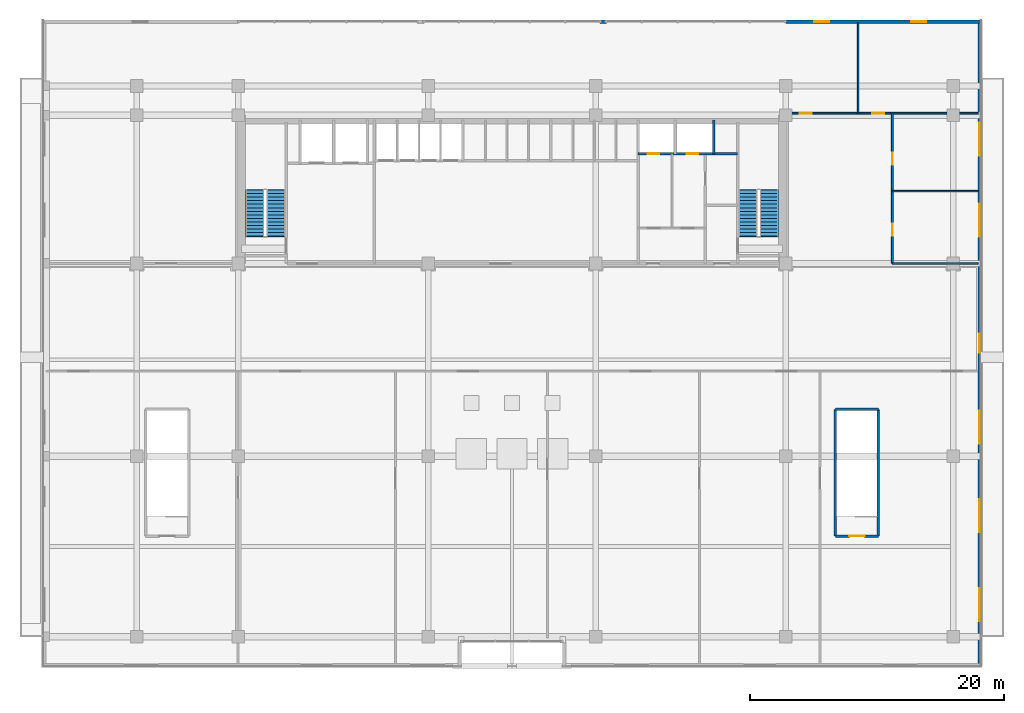
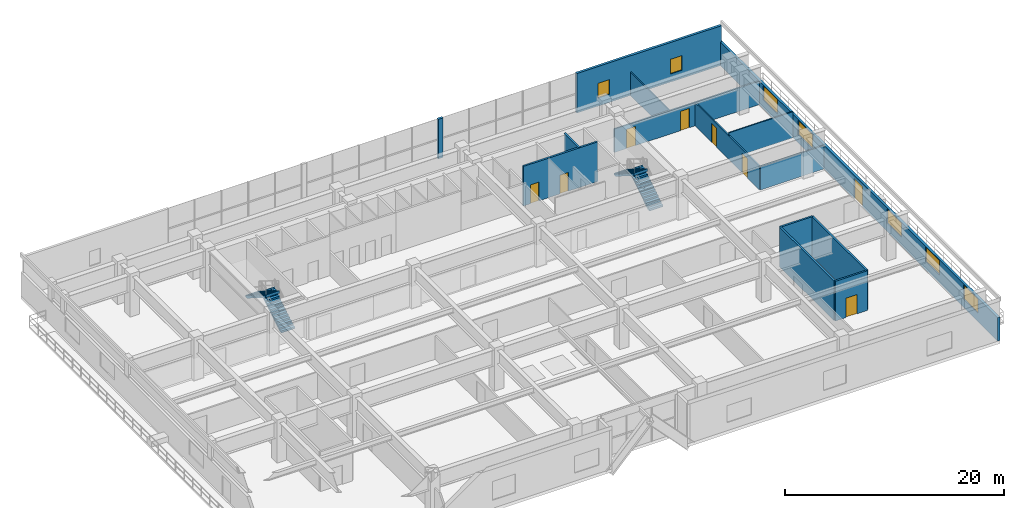
# One storey, part 13 of 17: 14 walls, 8 doors, 7 windows, 4 stair flights, 15 openings, 2 elements without a shape of their own.
"""IFC4 building model written with IfcOpenShell, lengths in metres."""

import ifcopenshell
import ifcopenshell.guid

model = None  # the IFC model being written
_history = None  # IfcOwnerHistory: only IFC2X3 demands one
_inside = {}  # id of a spatial element -> (the spatial element, [elements in it])
_under = {}  # id of a project, library or spatial element -> (it, [spatial elements below it])
_declared = {}  # id of a project -> (the project, [libraries it declares])
_typed = {}  # id of a type object -> (the type object, [elements of that type])
_made_of = {}  # id of a material, layer set ... -> (it, [elements and type objects made of it])


def new_model(schema):
    """Start an empty IFC model of exactly this schema.

    Asked for "IFC4X3", IfcOpenShell would pick the latest addendum, in which some entities
    have other attributes; the version numbers below select the first issue.
    IFC2X3 requires an IfcOwnerHistory on every rooted entity: one is made here for all.
    """
    global model, _history
    if schema == "IFC4X3":
        model = ifcopenshell.file(schema_version=(4, 3, 0, 0))
    else:
        model = ifcopenshell.file(schema=schema)
    _inside.clear()
    _under.clear()
    _declared.clear()
    _typed.clear()
    _made_of.clear()
    _history = None
    if model.schema == "IFC2X3":
        org = make("IfcOrganization", Name="unknown")
        user = make(
            "IfcPersonAndOrganization",
            ThePerson=make("IfcPerson", FamilyName="unknown"),
            TheOrganization=org,
        )
        app = make(
            "IfcApplication",
            ApplicationDeveloper=org,
            Version="unknown",
            ApplicationFullName="unknown",
            ApplicationIdentifier="unknown",
        )
        _history = make(
            "IfcOwnerHistory",
            OwningUser=user,
            OwningApplication=app,
            ChangeAction="ADDED",
            CreationDate=0,
        )
    return model


def make(cls, **values):
    """One entity of the class cls with the attributes given. An attribute that is None is left unset."""
    return model.create_entity(
        cls, **{name: value for name, value in values.items() if value is not None}
    )


def rooted(cls, **values):
    """An entity with a GlobalId (a new one), such as an element, a storey or a relation."""
    return make(cls, GlobalId=ifcopenshell.guid.new(), OwnerHistory=_history, **values)


def si_unit(unit_type, name, prefix=None):
    """IfcSIUnit, for example si_unit("LENGTHUNIT", "METRE", prefix="MILLI")."""
    return make("IfcSIUnit", UnitType=unit_type, Prefix=prefix, Name=name)


def assignment(units):
    """IfcUnitAssignment: the units of a project."""
    return None if units is None else make("IfcUnitAssignment", Units=units)


def point(xyz):
    """IfcCartesianPoint."""
    return None if xyz is None else make("IfcCartesianPoint", Coordinates=xyz)


def direction(xyz):
    """IfcDirection."""
    return None if xyz is None else make("IfcDirection", DirectionRatios=xyz)


def frame(location, z_axis=None, x_axis=None):
    """IfcAxis2Placement3D, a coordinate frame: its origin and axes. An axis left out is left unset."""
    return make(
        "IfcAxis2Placement3D",
        Location=point(location),
        Axis=direction(z_axis),
        RefDirection=direction(x_axis),
    )


def frame_2d(location, x_axis=None):
    """IfcAxis2Placement2D, a coordinate frame in the plane: its origin and x axis."""
    return make(
        "IfcAxis2Placement2D", Location=point(location), RefDirection=direction(x_axis)
    )


def origin():
    """The frame at (0, 0, 0) with its axes left unset."""
    return frame((0.0, 0.0, 0.0))


def place(relative_to, where):
    """IfcLocalPlacement: puts the frame where relative to a parent placement (None: the world)."""
    return make(
        "IfcLocalPlacement", PlacementRelTo=relative_to, RelativePlacement=where
    )


def context(
    kind, dimensions, precision=None, world=None, true_north=None, identifier=None
):
    """IfcGeometricRepresentationContext, for example the 3D "Model" context."""
    return make(
        "IfcGeometricRepresentationContext",
        ContextIdentifier=identifier,
        ContextType=kind,
        CoordinateSpaceDimension=dimensions,
        Precision=precision,
        WorldCoordinateSystem=world,
        TrueNorth=true_north,
    )


def subcontext(parent, identifier, kind, view, scale=None):
    """IfcGeometricRepresentationSubContext, for example "Body" below "Model"."""
    return make(
        "IfcGeometricRepresentationSubContext",
        ContextIdentifier=identifier,
        ContextType=kind,
        ParentContext=parent,
        TargetScale=scale,
        TargetView=view,
    )


def project(units=None, contexts=None):
    """IfcProject with its units and contexts."""
    return rooted(
        "IfcProject",
        Name="project",
        RepresentationContexts=contexts,
        UnitsInContext=assignment(units),
    )


def spatial(cls, under=None, at=None, **own):
    """A site, building, storey or space (cls), placed at a placement, below another one or the project."""
    s = rooted(cls, ObjectPlacement=at, **own)
    if under is not None:
        _under.setdefault(under.id(), (under, []))[1].append(s)
    return s


def polyline(points):
    """IfcPolyline through the points."""
    return make("IfcPolyline", Points=[point(p) for p in points])


def profile(cls, at=None, kind="AREA", **sizes):
    """A parametric profile (cls). Its sizes go by their IFC names, for example OverallWidth=200.0."""
    return make(cls, ProfileType=kind, Position=at, **sizes)


def rectangle(**sizes):
    """IfcRectangleProfileDef."""
    return profile("IfcRectangleProfileDef", **sizes)


def outline(outer, holes=None, kind="AREA"):
    """IfcArbitraryClosedProfileDef: a profile drawn as a closed curve; with holes, ...WithVoids."""
    if holes is None:
        return make("IfcArbitraryClosedProfileDef", ProfileType=kind, OuterCurve=outer)
    return make(
        "IfcArbitraryProfileDefWithVoids",
        ProfileType=kind,
        OuterCurve=outer,
        InnerCurves=holes,
    )


def extrude(swept, where, along, depth):
    """IfcExtrudedAreaSolid: the profile swept, set in the frame where, extruded along a direction by depth."""
    return make(
        "IfcExtrudedAreaSolid",
        SweptArea=swept,
        Position=where,
        ExtrudedDirection=direction(along),
        Depth=depth,
    )


def shape(context_of_items, identifier, shape_type, items):
    """IfcShapeRepresentation: the items that make up one representation, for example the "Body"."""
    return make(
        "IfcShapeRepresentation",
        ContextOfItems=context_of_items,
        RepresentationIdentifier=identifier,
        RepresentationType=shape_type,
        Items=items,
    )


def source(mapping_origin, context_of_items, identifier, shape_type, items):
    """IfcRepresentationMap: a shape defined once, which mapped items show again and again."""
    return make(
        "IfcRepresentationMap",
        MappingOrigin=mapping_origin,
        MappedRepresentation=shape(context_of_items, identifier, shape_type, items),
    )


def transform(
    local_origin,
    x_axis=None,
    y_axis=None,
    z_axis=None,
    scale=None,
    scale2=None,
    scale3=None,
    uniform=True,
):
    """IfcCartesianTransformationOperator3D, or its non-uniform kind. x_axis, y_axis, z_axis: its Axis1, 2, 3."""
    if uniform:
        return make(
            "IfcCartesianTransformationOperator3D",
            Axis1=direction(x_axis),
            Axis2=direction(y_axis),
            LocalOrigin=point(local_origin),
            Scale=scale,
            Axis3=direction(z_axis),
        )
    return make(
        "IfcCartesianTransformationOperator3DnonUniform",
        Axis1=direction(x_axis),
        Axis2=direction(y_axis),
        LocalOrigin=point(local_origin),
        Scale=scale,
        Axis3=direction(z_axis),
        Scale2=scale2,
        Scale3=scale3,
    )


def mapped(mapping_source, mapping_target):
    """IfcMappedItem: shows the shape of a source again, moved by a transform."""
    return make(
        "IfcMappedItem", MappingSource=mapping_source, MappingTarget=mapping_target
    )


def material(Name=None, Category=None):
    """IfcMaterial."""
    return make("IfcMaterial", Name=Name, Category=Category)


def layer(
    of_material, thickness, ventilated=None, Name=None, Category=None, Priority=None
):
    """IfcMaterialLayer: one layer of a wall or slab, of a material (None: an air gap)."""
    return make(
        "IfcMaterialLayer",
        Material=of_material,
        LayerThickness=thickness,
        IsVentilated=ventilated,
        Name=Name,
        Category=Category,
        Priority=Priority,
    )


def layer_set(layers, Name=None):
    """IfcMaterialLayerSet."""
    return make("IfcMaterialLayerSet", MaterialLayers=layers, LayerSetName=Name)


def made_of(thing, what):
    """Note that an element or type object is made of a material, layer set ...; save() writes the relation."""
    if what is not None:
        _made_of.setdefault(what.id(), (what, []))[1].append(thing)
    return thing


def type_object(cls, material=None, **own):
    """A type object (cls), such as IfcWallType, which elements share."""
    return made_of(rooted(cls, **own), material)


def element(
    cls,
    number,
    at=None,
    inside=None,
    cuts=None,
    type_object=None,
    material=None,
    context=None,
    identifier="Body",
    shape_type=None,
    held_by="IfcProductDefinitionShape",
    body=None,
    shapes=None,
    **own,
):
    """One element of the class cls, such as IfcWall. Its Tag is "e" and its number.

    at: its placement. inside: the storey or other place that contains it. cuts: it is an
    opening in that element (IfcRelVoidsElement). A single representation is given by context,
    identifier, shape_type and body (its items); several are given by shapes. held_by: the class
    of the entity that holds the representations. save() writes the other relations.
    """
    e = rooted(cls, Tag="e%d" % number, ObjectPlacement=at, **own)
    if body is not None:
        shapes = [shape(context, identifier, shape_type, body)]
    if shapes is not None:
        e.Representation = make(held_by, Representations=shapes)
    if inside is not None:
        _inside.setdefault(inside.id(), (inside, []))[1].append(e)
    if cuts is not None:
        rooted(
            "IfcRelVoidsElement", RelatingBuildingElement=cuts, RelatedOpeningElement=e
        )
    if type_object is not None:
        _typed.setdefault(type_object.id(), (type_object, []))[1].append(e)
    return made_of(e, material)


def fill(opening, filler):
    """IfcRelFillsElement: the door or window that sits in an opening."""
    return rooted(
        "IfcRelFillsElement",
        RelatingOpeningElement=opening,
        RelatedBuildingElement=filler,
    )


def aggregate(whole, parts):
    """IfcRelAggregates: a whole, such as a stair, and the parts it consists of."""
    return rooted("IfcRelAggregates", RelatingObject=whole, RelatedObjects=parts)


def save(model, path):
    """Write the relations noted so far, then the file.

    IfcRelAggregates (storeys below a building ...), IfcRelContainedInSpatialStructure (elements
    in a storey), IfcRelDefinesByType, IfcRelAssociatesMaterial and IfcRelDeclares: one each for
    every whole, place, type object, material and project.
    """
    for whole, parts in _under.values():
        aggregate(whole, parts)
    for where, things in _inside.values():
        rooted(
            "IfcRelContainedInSpatialStructure",
            RelatedElements=things,
            RelatingStructure=where,
        )
    for kind, things in _typed.values():
        rooted("IfcRelDefinesByType", RelatedObjects=things, RelatingType=kind)
    for what, things in _made_of.values():
        rooted("IfcRelAssociatesMaterial", RelatedObjects=things, RelatingMaterial=what)
    for by, libraries in _declared.values():
        rooted("IfcRelDeclares", RelatingContext=by, RelatedDefinitions=libraries)
    model.write(path)


model = new_model("IFC4")

# Units and contexts
model_context = context("Model", 3, precision=1e-05, world=origin(), true_north=direction((0.0, 1.0)))
body_context = subcontext(model_context, "Body", "Model", "MODEL_VIEW")
ifc_project = project(units=[si_unit("LENGTHUNIT", "METRE"), si_unit("AREAUNIT", "SQUARE_METRE"), si_unit("VOLUMEUNIT", "CUBIC_METRE"), si_unit("PLANEANGLEUNIT", "RADIAN"), si_unit("MASSUNIT", "GRAM", prefix="KILO")], contexts=[model_context])

# Site, building, storey
site_placement = place(None, origin())
site = spatial("IfcSite", under=ifc_project, at=site_placement, CompositionType="ELEMENT")
building_placement = place(site_placement, origin())
building = spatial("IfcBuilding", under=site, at=building_placement, Name="Trelvane Seafront Commons", CompositionType="ELEMENT")
storey_placement = place(building_placement, frame((0.0, 0.0, 18.699951171875)))
storey = spatial("IfcBuildingStorey", under=building, at=storey_placement, Name="L04", CompositionType="ELEMENT", Elevation=18.699951171875)

# Wall, openings, windows
ifc_material_1 = material(Name="Precast concrete C40/50", Category="concrete")
ifc_layer_1 = layer(ifc_material_1, 0.260009765625, Name="ARCH-WALL-EXT260")
ifc_layer_set_1 = layer_set([ifc_layer_1], Name="Precast concrete C40/50")
wall_type_1 = type_object("IfcWallType", Name="ARCH-WALL-EXT260", PredefinedType="SOLIDWALL", material=ifc_layer_set_1)
wall_1_placement = place(storey_placement, frame((58.800048828125, 52.469970703125, 0.0), z_axis=(0.0, 0.0, 1.0), x_axis=(1.0, 0.0, 0.0)))
wall_1 = element("IfcWall", 1, at=wall_1_placement, inside=storey, type_object=wall_type_1, Name="EW-L04-NE-0036", PredefinedType="SOLIDWALL", context=body_context, shape_type="SweptSolid", body=[
    extrude(rectangle(XDim=15.25, YDim=0.260009765625, at=frame_2d((7.625, 0.0))), origin(), (0.0, 0.0, 1.0), 4.420166015625),
])
opening_1_placement = place(wall_1_placement, frame((2.237060546875, 0.0, 0.89990234375)))
opening_1 = element("IfcOpeningElement", 2, at=opening_1_placement, cuts=wall_1, Name="Opening W05", PredefinedType="OPENING", context=body_context, shape_type="SweptSolid", body=[
    extrude(rectangle(XDim=1.199951171875, YDim=1.64990234375, at=frame_2d((0.60009765625, 0.824951171875))), frame((0.0, 0.139892578125, 0.0), z_axis=(0.0, -1.0, 0.0), x_axis=(1.0, 0.0, 0.0)), (0.0, 0.0, 1.0), 0.280029296875),
])
opening_2_placement = place(wall_1_placement, frame((9.885009765625, 0.0, 0.89990234375)))
opening_2 = element("IfcOpeningElement", 3, at=opening_2_placement, cuts=wall_1, Name="Opening W05", PredefinedType="OPENING", context=body_context, shape_type="SweptSolid", body=[
    extrude(rectangle(XDim=1.199951171875, YDim=1.64990234375, at=frame_2d((0.60009765625, 0.824951171875))), frame((0.0, 0.139892578125, 0.0), z_axis=(0.0, -1.0, 0.0), x_axis=(1.0, 0.0, 0.0)), (0.0, 0.0, 1.0), 0.280029296875),
])
ifc_material_2 = material(Name="Low-E coastal double glazing", Category="glass")
window_type_1 = type_object("IfcWindowType", Name="ARCH-WIN-W05", PartitioningType="SINGLE_PANEL", PredefinedType="WINDOW", material=ifc_material_2)
shared_shape_1 = source(origin(), body_context, "Body", "SweptSolid", [
    extrude(rectangle(XDim=1.199951171875, YDim=1.64990234375, at=frame_2d((0.60009765625, 0.824951171875))), frame((0.0, 0.030029296875, 0.0), z_axis=(0.0, -1.0, 0.0), x_axis=(1.0, 0.0, 0.0)), (0.0, 0.0, 1.0), 0.06005859375),
])
window_1_placement = place(opening_1_placement, origin())
window_1 = element("IfcWindow", 4, at=window_1_placement, inside=storey, type_object=window_type_1, Name="WIN-L04-00057", OverallHeight=1.64990234375, OverallWidth=1.199951171875, PartitioningType="SINGLE_PANEL", PredefinedType="WINDOW", context=body_context, shape_type="MappedRepresentation", body=[
    mapped(shared_shape_1, transform((0.0, 0.0, 0.0), x_axis=(1.0, 0.0, 0.0), y_axis=(0.0, 1.0, 0.0), z_axis=(0.0, 0.0, 1.0), scale=1.0)),
])
fill(opening_1, window_1)
window_2_placement = place(opening_2_placement, origin())
window_2 = element("IfcWindow", 5, at=window_2_placement, inside=storey, type_object=window_type_1, Name="WIN-L04-00058", OverallHeight=1.64990234375, OverallWidth=1.199951171875, PartitioningType="SINGLE_PANEL", PredefinedType="WINDOW", context=body_context, shape_type="MappedRepresentation", body=[
    mapped(shared_shape_1, transform((0.0, 0.0, 0.0), x_axis=(1.0, 0.0, 0.0), y_axis=(0.0, 1.0, 0.0), z_axis=(0.0, 0.0, 1.0), scale=1.0)),
])
fill(opening_2, window_2)

# Wall
wall_2_placement = place(storey_placement, frame((44.14990234375, 52.469970703125, 0.0), z_axis=(0.0, 0.0, 1.0), x_axis=(1.0, 0.0, 0.0)))
element("IfcWall", 6, at=wall_2_placement, inside=storey, type_object=wall_type_1, Name="EW-L04-NP-00038", PredefinedType="SOLIDWALL", context=body_context, shape_type="SweptSolid", body=[
    extrude(rectangle(XDim=0.5, YDim=0.260009765625, at=frame_2d((0.25, 0.0))), origin(), (0.0, 0.0, 1.0), 4.420166015625),
])

# Wall, openings, door, windows
wall_3_placement = place(storey_placement, frame((74.070068359375, 52.60009765625, 0.0), z_axis=(0.0, 0.0, 1.0), x_axis=(0.0, -1.0, 0.0)))
wall_3 = element("IfcWall", 7, at=wall_3_placement, inside=storey, type_object=wall_type_1, Name="EW-L04-00039", PredefinedType="SOLIDWALL", context=body_context, shape_type="SweptSolid", body=[
    extrude(rectangle(XDim=51.0, YDim=0.260009765625, at=frame_2d((25.5, 0.0))), origin(), (0.0, 0.0, 1.0), 2.6201171875),
])
opening_3_placement = place(wall_3_placement, frame((24.75, 0.0, 0.0)))
opening_3 = element("IfcOpeningElement", 8, at=opening_3_placement, cuts=wall_3, Name="Opening TD-L04-11", PredefinedType="OPENING", context=body_context, shape_type="SweptSolid", body=[
    extrude(rectangle(XDim=1.5, YDim=2.25, at=frame_2d((0.75, 1.125))), frame((0.0, 0.139892578125, 0.0), z_axis=(0.0, -1.0, 0.0), x_axis=(1.0, 0.0, 0.0)), (0.0, 0.0, 1.0), 0.280029296875),
])
opening_4_placement = place(wall_3_placement, frame((44.800048828125, 0.0, 0.919921875)))
opening_4 = element("IfcOpeningElement", 9, at=opening_4_placement, cuts=wall_3, Name="Opening W04", PredefinedType="OPENING", context=body_context, shape_type="SweptSolid", body=[
    extrude(rectangle(XDim=2.60009765625, YDim=1.60009765625, at=frame_2d((1.300048828125, 0.800048828125))), frame((0.0, 0.139892578125, 0.0), z_axis=(0.0, -1.0, 0.0), x_axis=(1.0, 0.0, 0.0)), (0.0, 0.0, 1.0), 0.280029296875),
])
opening_5_placement = place(wall_3_placement, frame((37.800048828125, 0.0, 0.919921875)))
opening_5 = element("IfcOpeningElement", 10, at=opening_5_placement, cuts=wall_3, Name="Opening W04", PredefinedType="OPENING", context=body_context, shape_type="SweptSolid", body=[
    extrude(rectangle(XDim=2.60009765625, YDim=1.60009765625, at=frame_2d((1.300048828125, 0.800048828125))), frame((0.0, 0.139892578125, 0.0), z_axis=(0.0, -1.0, 0.0), x_axis=(1.0, 0.0, 0.0)), (0.0, 0.0, 1.0), 0.280029296875),
])
opening_6_placement = place(wall_3_placement, frame((30.800048828125, 0.0, 0.919921875)))
opening_6 = element("IfcOpeningElement", 11, at=opening_6_placement, cuts=wall_3, Name="Opening W04", PredefinedType="OPENING", context=body_context, shape_type="SweptSolid", body=[
    extrude(rectangle(XDim=2.60009765625, YDim=1.60009765625, at=frame_2d((1.300048828125, 0.800048828125))), frame((0.0, 0.139892578125, 0.0), z_axis=(0.0, -1.0, 0.0), x_axis=(1.0, 0.0, 0.0)), (0.0, 0.0, 1.0), 0.280029296875),
])
opening_7_placement = place(wall_3_placement, frame((14.5, 0.0, 0.919921875)))
opening_7 = element("IfcOpeningElement", 12, at=opening_7_placement, cuts=wall_3, Name="Opening W04", PredefinedType="OPENING", context=body_context, shape_type="SweptSolid", body=[
    extrude(rectangle(XDim=2.60009765625, YDim=1.60009765625, at=frame_2d((1.300048828125, 0.800048828125))), frame((0.0, 0.139892578125, 0.0), z_axis=(0.0, -1.0, 0.0), x_axis=(1.0, 0.0, 0.0)), (0.0, 0.0, 1.0), 0.280029296875),
])
opening_8_placement = place(wall_3_placement, frame((8.10009765625, 0.0, 0.919921875)))
opening_8 = element("IfcOpeningElement", 13, at=opening_8_placement, cuts=wall_3, Name="Opening W04", PredefinedType="OPENING", context=body_context, shape_type="SweptSolid", body=[
    extrude(rectangle(XDim=2.60009765625, YDim=1.60009765625, at=frame_2d((1.300048828125, 0.800048828125))), frame((0.0, 0.139892578125, 0.0), z_axis=(0.0, -1.0, 0.0), x_axis=(1.0, 0.0, 0.0)), (0.0, 0.0, 1.0), 0.280029296875),
])
ifc_material_3 = material(Name="Powder-coated aluminium frame", Category="aluminium")
door_type_1 = type_object("IfcDoorType", Name="ARCH-DR-TER1500", OperationType="DOUBLE_DOOR_SINGLE_SWING", PredefinedType="DOOR", material=ifc_material_3)
shared_shape_2 = source(origin(), body_context, "Body", "SweptSolid", [
    extrude(rectangle(XDim=1.5, YDim=2.25, at=frame_2d((0.75, 1.125))), frame((0.0, 0.02490234375, 0.0), z_axis=(0.0, -1.0, 0.0), x_axis=(1.0, 0.0, 0.0)), (0.0, 0.0, 1.0), 0.050048828125),
])
door_1_placement = place(opening_3_placement, origin())
door_1 = element("IfcDoor", 14, at=door_1_placement, inside=storey, type_object=door_type_1, Name="L04 Setback Terrace Access Door", OperationType="DOUBLE_DOOR_SINGLE_SWING", OverallHeight=2.25, OverallWidth=1.5, PredefinedType="DOOR", context=body_context, shape_type="MappedRepresentation", body=[
    mapped(shared_shape_2, transform((0.0, 0.0, 0.0), x_axis=(1.0, 0.0, 0.0), y_axis=(0.0, 1.0, 0.0), z_axis=(0.0, 0.0, 1.0), scale=1.0)),
])
fill(opening_3, door_1)
window_type_2 = type_object("IfcWindowType", Name="ARCH-WIN-W04", PartitioningType="SINGLE_PANEL", PredefinedType="WINDOW", material=ifc_material_2)
shared_shape_3 = source(origin(), body_context, "Body", "SweptSolid", [
    extrude(rectangle(XDim=2.60009765625, YDim=1.60009765625, at=frame_2d((1.300048828125, 0.800048828125))), frame((0.0, 0.030029296875, 0.0), z_axis=(0.0, -1.0, 0.0), x_axis=(1.0, 0.0, 0.0)), (0.0, 0.0, 1.0), 0.06005859375),
])
window_3_placement = place(opening_4_placement, origin())
window_3 = element("IfcWindow", 15, at=window_3_placement, inside=storey, type_object=window_type_2, Name="WIN-L04-EW-00059", OverallHeight=1.60009765625, OverallWidth=2.60009765625, PartitioningType="SINGLE_PANEL", PredefinedType="WINDOW", context=body_context, shape_type="MappedRepresentation", body=[
    mapped(shared_shape_3, transform((0.0, 0.0, 0.0), x_axis=(1.0, 0.0, 0.0), y_axis=(0.0, 1.0, 0.0), z_axis=(0.0, 0.0, 1.0), scale=1.0)),
])
fill(opening_4, window_3)
window_4_placement = place(opening_5_placement, origin())
window_4 = element("IfcWindow", 16, at=window_4_placement, inside=storey, type_object=window_type_2, Name="WIN-L04-EW-00060", OverallHeight=1.60009765625, OverallWidth=2.60009765625, PartitioningType="SINGLE_PANEL", PredefinedType="WINDOW", context=body_context, shape_type="MappedRepresentation", body=[
    mapped(shared_shape_3, transform((0.0, 0.0, 0.0), x_axis=(1.0, 0.0, 0.0), y_axis=(0.0, 1.0, 0.0), z_axis=(0.0, 0.0, 1.0), scale=1.0)),
])
fill(opening_5, window_4)
window_5_placement = place(opening_6_placement, origin())
window_5 = element("IfcWindow", 17, at=window_5_placement, inside=storey, type_object=window_type_2, Name="WIN-L04-EW-00061", OverallHeight=1.60009765625, OverallWidth=2.60009765625, PartitioningType="SINGLE_PANEL", PredefinedType="WINDOW", context=body_context, shape_type="MappedRepresentation", body=[
    mapped(shared_shape_3, transform((0.0, 0.0, 0.0), x_axis=(1.0, 0.0, 0.0), y_axis=(0.0, 1.0, 0.0), z_axis=(0.0, 0.0, 1.0), scale=1.0)),
])
fill(opening_6, window_5)
window_6_placement = place(opening_7_placement, origin())
window_6 = element("IfcWindow", 18, at=window_6_placement, inside=storey, type_object=window_type_2, Name="WIN-L04-EW-00062", OverallHeight=1.60009765625, OverallWidth=2.60009765625, PartitioningType="SINGLE_PANEL", PredefinedType="WINDOW", context=body_context, shape_type="MappedRepresentation", body=[
    mapped(shared_shape_3, transform((0.0, 0.0, 0.0), x_axis=(1.0, 0.0, 0.0), y_axis=(0.0, 1.0, 0.0), z_axis=(0.0, 0.0, 1.0), scale=1.0)),
])
fill(opening_7, window_6)
window_7_placement = place(opening_8_placement, origin())
window_7 = element("IfcWindow", 19, at=window_7_placement, inside=storey, type_object=window_type_2, Name="WIN-L04-EW-00063", OverallHeight=1.60009765625, OverallWidth=2.60009765625, PartitioningType="SINGLE_PANEL", PredefinedType="WINDOW", context=body_context, shape_type="MappedRepresentation", body=[
    mapped(shared_shape_3, transform((0.0, 0.0, 0.0), x_axis=(1.0, 0.0, 0.0), y_axis=(0.0, 1.0, 0.0), z_axis=(0.0, 0.0, 1.0), scale=1.0)),
])
fill(opening_8, window_7)

# Walls
ifc_material_4 = material(Name="Gypsum Drywall Acoustic Partition")
ifc_layer_2 = layer(ifc_material_4, 0.1201171875, Name="ARCH-WALL-PART120")
ifc_layer_set_2 = layer_set([ifc_layer_2], Name="Gypsum Drywall Acoustic Partition")
wall_type_2 = type_object("IfcWallType", Name="ARCH-WALL-PART120", PredefinedType="PARTITIONING", material=ifc_layer_set_2)
wall_4_placement = place(storey_placement, frame((67.199951171875, 39.10009765625, 0.0), z_axis=(0.0, 0.0, 1.0), x_axis=(1.0, 0.0, 0.0)))
element("IfcWall", 20, at=wall_4_placement, inside=storey, type_object=wall_type_2, Name="W-L04-POD-NE-MF-049", PredefinedType="PARTITIONING", context=body_context, shape_type="SweptSolid", body=[
    extrude(rectangle(XDim=6.75, YDim=0.1201171875, at=frame_2d((3.375, 0.0))), origin(), (0.0, 0.0, 1.0), 2.920166015625),
])
wall_5_placement = place(storey_placement, frame((64.5, 45.25, 0.0), z_axis=(0.0, 0.0, 1.0), x_axis=(0.0, 1.0, 0.0)))
element("IfcWall", 21, at=wall_5_placement, inside=storey, type_object=wall_type_2, Name="W-L04-POD-NE-LNDV-051", PredefinedType="PARTITIONING", context=body_context, shape_type="SweptSolid", body=[
    extrude(rectangle(XDim=7.14990234375, YDim=0.1201171875, at=frame_2d((3.574951171875, 0.0))), origin(), (0.0, 0.0, 1.0), 2.6201171875),
])

# Wall, openings, doors
ifc_layer_3 = layer(ifc_material_4, 0.14990234375, Name="ARCH-WALL-PART150")
ifc_layer_set_3 = layer_set([ifc_layer_3], Name="Gypsum Drywall Acoustic Partition")
wall_type_3 = type_object("IfcWallType", Name="ARCH-WALL-PART150", PredefinedType="PARTITIONING", material=ifc_layer_set_3)
wall_6_placement = place(storey_placement, frame((67.199951171875, 33.39990234375, 0.0), z_axis=(0.0, 0.0, 1.0), x_axis=(0.0, 1.0, 0.0)))
wall_6 = element("IfcWall", 22, at=wall_6_placement, inside=storey, type_object=wall_type_3, Name="W-L04-POD-NE-W-047", PredefinedType="PARTITIONING", context=body_context, shape_type="SweptSolid", body=[
    extrude(rectangle(XDim=11.85009765625, YDim=0.14990234375, at=frame_2d((5.925048828125, 0.0))), origin(), (0.0, 0.0, 1.0), 2.6201171875),
])
opening_9_placement = place(wall_6_placement, frame((2.199951171875, 0.0, 0.0)))
opening_9 = element("IfcOpeningElement", 23, at=opening_9_placement, cuts=wall_6, Name="Opening D-L04-21", PredefinedType="OPENING", context=body_context, shape_type="SweptSolid", body=[
    extrude(rectangle(XDim=0.949951171875, YDim=2.14990234375, at=frame_2d((0.47509765625, 1.074951171875))), frame((0.0, 0.0849609375, 0.0), z_axis=(0.0, -1.0, 0.0), x_axis=(1.0, 0.0, 0.0)), (0.0, 0.0, 1.0), 0.169921875),
])
opening_10_placement = place(wall_6_placement, frame((7.800048828125, 0.0, 0.0)))
opening_10 = element("IfcOpeningElement", 24, at=opening_10_placement, cuts=wall_6, Name="Opening D-L04-22", PredefinedType="OPENING", context=body_context, shape_type="SweptSolid", body=[
    extrude(rectangle(XDim=0.949951171875, YDim=2.14990234375, at=frame_2d((0.47509765625, 1.074951171875))), frame((0.0, 0.0849609375, 0.0), z_axis=(0.0, -1.0, 0.0), x_axis=(1.0, 0.0, 0.0)), (0.0, 0.0, 1.0), 0.169921875),
])
ifc_material_5 = material(Name="Acoustic timber door leaf", Category="wood")
door_type_2 = type_object("IfcDoorType", Name="ARCH-DR-INT950", OperationType="NOTDEFINED", PredefinedType="DOOR", material=ifc_material_5)
shared_shape_4 = source(origin(), body_context, "Body", "SweptSolid", [
    extrude(rectangle(XDim=0.949951171875, YDim=2.14990234375, at=frame_2d((0.47509765625, 1.074951171875))), frame((0.0, 0.02490234375, 0.0), z_axis=(0.0, -1.0, 0.0), x_axis=(1.0, 0.0, 0.0)), (0.0, 0.0, 1.0), 0.050048828125),
])
door_2_placement = place(opening_9_placement, origin())
door_2 = element("IfcDoor", 25, at=door_2_placement, inside=storey, type_object=door_type_2, Name="L04 Podium Male WC Door", OperationType="SINGLE_SWING_LEFT", OverallHeight=2.14990234375, OverallWidth=0.949951171875, PredefinedType="DOOR", context=body_context, shape_type="MappedRepresentation", body=[
    mapped(shared_shape_4, transform((0.0, 0.0, 0.0), x_axis=(1.0, 0.0, 0.0), y_axis=(0.0, 1.0, 0.0), z_axis=(0.0, 0.0, 1.0), scale=1.0)),
])
fill(opening_9, door_2)
door_3_placement = place(opening_10_placement, origin())
door_3 = element("IfcDoor", 26, at=door_3_placement, inside=storey, type_object=door_type_2, Name="L04 Podium Female WC Door", OperationType="SINGLE_SWING_RIGHT", OverallHeight=2.14990234375, OverallWidth=0.949951171875, PredefinedType="DOOR", context=body_context, shape_type="MappedRepresentation", body=[
    mapped(shared_shape_4, transform((0.0, 0.0, 0.0), x_axis=(1.0, 0.0, 0.0), y_axis=(0.0, 1.0, 0.0), z_axis=(0.0, 0.0, 1.0), scale=1.0)),
])
fill(opening_10, door_3)

# Wall
wall_7_placement = place(storey_placement, frame((67.199951171875, 33.39990234375, 0.0), z_axis=(0.0, 0.0, 1.0), x_axis=(1.0, 0.0, 0.0)))
element("IfcWall", 27, at=wall_7_placement, inside=storey, type_object=wall_type_3, Name="W-L04-POD-NE-S-048", PredefinedType="PARTITIONING", context=body_context, shape_type="SweptSolid", body=[
    extrude(rectangle(XDim=6.75, YDim=0.14990234375, at=frame_2d((3.375, 0.0))), origin(), (0.0, 0.0, 1.0), 2.6201171875),
])

# Wall, openings, doors
wall_8_placement = place(storey_placement, frame((58.60009765625, 45.25, 0.0), z_axis=(0.0, 0.0, 1.0), x_axis=(1.0, 0.0, 0.0)))
wall_8 = element("IfcWall", 28, at=wall_8_placement, inside=storey, type_object=wall_type_3, Name="W-L04-POD-NE-LN-S-050", PredefinedType="PARTITIONING", context=body_context, shape_type="SweptSolid", body=[
    extrude(rectangle(XDim=15.349853515625, YDim=0.14990234375, at=frame_2d((7.6748046875, 0.0))), origin(), (0.0, 0.0, 1.0), 2.6201171875),
])
opening_11_placement = place(wall_8_placement, frame((1.300048828125, 0.0, 0.0)))
opening_11 = element("IfcOpeningElement", 29, at=opening_11_placement, cuts=wall_8, Name="Opening D-L04-23", PredefinedType="OPENING", context=body_context, shape_type="SweptSolid", body=[
    extrude(rectangle(XDim=0.949951171875, YDim=2.14990234375, at=frame_2d((0.47509765625, 1.074951171875))), frame((0.0, 0.0849609375, 0.0), z_axis=(0.0, -1.0, 0.0), x_axis=(1.0, 0.0, 0.0)), (0.0, 0.0, 1.0), 0.169921875),
])
opening_12_placement = place(wall_8_placement, frame((7.0, 0.0, 0.0)))
opening_12 = element("IfcOpeningElement", 30, at=opening_12_placement, cuts=wall_8, Name="Opening D-L04-24", PredefinedType="OPENING", context=body_context, shape_type="SweptSolid", body=[
    extrude(rectangle(XDim=0.949951171875, YDim=2.14990234375, at=frame_2d((0.47509765625, 1.074951171875))), frame((0.0, 0.0849609375, 0.0), z_axis=(0.0, -1.0, 0.0), x_axis=(1.0, 0.0, 0.0)), (0.0, 0.0, 1.0), 0.169921875),
])
door_4_placement = place(opening_11_placement, origin())
door_4 = element("IfcDoor", 31, at=door_4_placement, inside=storey, type_object=door_type_2, Name="L04 Podium Laundry Door", OperationType="SINGLE_SWING_LEFT", OverallHeight=2.14990234375, OverallWidth=0.949951171875, PredefinedType="DOOR", context=body_context, shape_type="MappedRepresentation", body=[
    mapped(shared_shape_4, transform((0.0, 0.0, 0.0), x_axis=(1.0, 0.0, 0.0), y_axis=(0.0, 1.0, 0.0), z_axis=(0.0, 0.0, 1.0), scale=1.0)),
])
fill(opening_11, door_4)
door_5_placement = place(opening_12_placement, origin())
door_5 = element("IfcDoor", 32, at=door_5_placement, inside=storey, type_object=door_type_2, Name="L04 Podium Pantry Door", OperationType="SINGLE_SWING_RIGHT", OverallHeight=2.14990234375, OverallWidth=0.949951171875, PredefinedType="DOOR", context=body_context, shape_type="MappedRepresentation", body=[
    mapped(shared_shape_4, transform((0.0, 0.0, 0.0), x_axis=(1.0, 0.0, 0.0), y_axis=(0.0, 1.0, 0.0), z_axis=(0.0, 0.0, 1.0), scale=1.0)),
])
fill(opening_12, door_5)

ifc_material_6 = material(Name="Concrete C40/50", Category="concrete")
ifc_layer_4 = layer(ifc_material_6, 0.199951171875, Name="ARCH-WALL-SHAFT200")
ifc_layer_set_4 = layer_set([ifc_layer_4], Name="Concrete C40/50")
wall_type_4 = type_object("IfcWallType", Name="ARCH-WALL-SHAFT200", PredefinedType="SOLIDWALL", material=ifc_layer_set_4)
wall_9_placement = place(storey_placement, frame((47.14990234375, 42.050048828125, 0.0), z_axis=(0.0, 0.0, 1.0), x_axis=(1.0, 0.0, 0.0)))
wall_9 = element("IfcWall", 33, at=wall_9_placement, inside=storey, type_object=wall_type_4, Name="W-L04-RSR-S-038", PredefinedType="SOLIDWALL", context=body_context, shape_type="SweptSolid", body=[
    extrude(rectangle(XDim=7.85009765625, YDim=0.199951171875, at=frame_2d((3.925048828125, 0.0))), origin(), (0.0, 0.0, 1.0), 4.420166015625),
])
opening_13_placement = place(wall_9_placement, frame((0.75, 0.0, 0.0)))
opening_13 = element("IfcOpeningElement", 34, at=opening_13_placement, cuts=wall_9, Name="Opening FD-L04-13", PredefinedType="OPENING", context=body_context, shape_type="SweptSolid", body=[
    extrude(rectangle(XDim=0.89990234375, YDim=2.10009765625, at=frame_2d((0.449951171875, 1.050048828125))), frame((0.0, 0.10986328125, 0.0), z_axis=(0.0, -1.0, 0.0), x_axis=(1.0, 0.0, 0.0)), (0.0, 0.0, 1.0), 0.219970703125),
])
opening_14_placement = place(wall_9_placement, frame((3.85009765625, 0.0, 0.0)))
opening_14 = element("IfcOpeningElement", 35, at=opening_14_placement, cuts=wall_9, Name="Opening FD-L04-14", PredefinedType="OPENING", context=body_context, shape_type="SweptSolid", body=[
    extrude(rectangle(XDim=0.89990234375, YDim=2.10009765625, at=frame_2d((0.449951171875, 1.050048828125))), frame((0.0, 0.10986328125, 0.0), z_axis=(0.0, -1.0, 0.0), x_axis=(1.0, 0.0, 0.0)), (0.0, 0.0, 1.0), 0.219970703125),
])
door_type_3 = type_object("IfcDoorType", Name="ARCH-DR-FD60-900", OperationType="NOTDEFINED", PredefinedType="DOOR", material=ifc_material_3)
shared_shape_5 = source(origin(), body_context, "Body", "SweptSolid", [
    extrude(rectangle(XDim=0.89990234375, YDim=2.10009765625, at=frame_2d((0.449951171875, 1.050048828125))), frame((0.0, 0.02490234375, 0.0), z_axis=(0.0, -1.0, 0.0), x_axis=(1.0, 0.0, 0.0)), (0.0, 0.0, 1.0), 0.050048828125),
])
door_6_placement = place(opening_13_placement, origin())
door_6 = element("IfcDoor", 36, at=door_6_placement, inside=storey, type_object=door_type_3, Name="L04 Electrical Riser Access Door", OperationType="SINGLE_SWING_LEFT", OverallHeight=2.10009765625, OverallWidth=0.89990234375, PredefinedType="DOOR", context=body_context, shape_type="MappedRepresentation", body=[
    mapped(shared_shape_5, transform((0.0, 0.0, 0.0), x_axis=(1.0, 0.0, 0.0), y_axis=(0.0, 1.0, 0.0), z_axis=(0.0, 0.0, 1.0), scale=1.0)),
])
fill(opening_13, door_6)
door_7_placement = place(opening_14_placement, origin())
door_7 = element("IfcDoor", 37, at=door_7_placement, inside=storey, type_object=door_type_3, Name="L04 Mechanical Riser Access Door", OperationType="SINGLE_SWING_RIGHT", OverallHeight=2.10009765625, OverallWidth=0.89990234375, PredefinedType="DOOR", context=body_context, shape_type="MappedRepresentation", body=[
    mapped(shared_shape_5, transform((0.0, 0.0, 0.0), x_axis=(1.0, 0.0, 0.0), y_axis=(0.0, 1.0, 0.0), z_axis=(0.0, 0.0, 1.0), scale=1.0)),
])
fill(opening_14, door_7)

# Walls
wall_10_placement = place(storey_placement, frame((53.10009765625, 42.050048828125, 0.0), z_axis=(0.0, 0.0, 1.0), x_axis=(0.0, 1.0, 0.0)))
element("IfcWall", 38, at=wall_10_placement, inside=storey, type_object=wall_type_4, Name="W-L04-RSR-E-040", PredefinedType="SOLIDWALL", context=body_context, shape_type="SweptSolid", body=[
    extrude(rectangle(XDim=2.64990234375, YDim=0.199951171875, at=frame_2d((1.324951171875, 0.0))), origin(), (0.0, 0.0, 1.0), 4.420166015625),
])
ifc_material_7 = material(Name="Concrete C50/60", Category="concrete")
ifc_layer_5 = layer(ifc_material_7, 0.199951171875, Name="STR-WALL-STAIR200")
ifc_layer_set_5 = layer_set([ifc_layer_5], Name="Concrete C50/60")
wall_type_5 = type_object("IfcWallType", Name="STR-WALL-STAIR200", PredefinedType="SHEAR", material=ifc_layer_set_5)
for number, where, z_axis, x_axis, name in (
    (39, (62.699951171875, 11.89990234375, 0.0), (0.0, 0.0, 1.0), (0.0, 1.0, 0.0), "W-L04-ST4-W-012"),
    (40, (66.10009765625, 11.89990234375, 0.0), (0.0, 0.0, 1.0), (0.0, 1.0, 0.0), "W-L04-ST4-E-013"),
):
    element("IfcWall", number, at=place(storey_placement, frame(where, z_axis=z_axis, x_axis=x_axis)), inside=storey, type_object=wall_type_5, Name=name, PredefinedType="SHEAR", context=body_context, shape_type="SweptSolid", body=[
        extrude(rectangle(XDim=10.0, YDim=0.199951171875, at=frame_2d((5.0, 0.0))), origin(), (0.0, 0.0, 1.0), 4.420166015625),
    ])

# Wall, opening, door
wall_11_placement = place(storey_placement, frame((62.699951171875, 11.89990234375, 0.0), z_axis=(0.0, 0.0, 1.0), x_axis=(1.0, 0.0, 0.0)))
wall_11 = element("IfcWall", 41, at=wall_11_placement, inside=storey, type_object=wall_type_5, Name="W-L04-ST4-S-014", PredefinedType="SHEAR", context=body_context, shape_type="SweptSolid", body=[
    extrude(rectangle(XDim=3.400146484375, YDim=0.199951171875, at=frame_2d((1.7001953125, 0.0))), origin(), (0.0, 0.0, 1.0), 4.420166015625),
])
opening_15_placement = place(wall_11_placement, frame((1.10009765625, 0.0, 0.0)))
opening_15 = element("IfcOpeningElement", 42, at=opening_15_placement, cuts=wall_11, Name="Opening ST-D-ST4-L04", PredefinedType="OPENING", context=body_context, shape_type="SweptSolid", body=[
    extrude(rectangle(XDim=1.199951171875, YDim=2.14990234375, at=frame_2d((0.60009765625, 1.074951171875))), frame((0.0, 0.10986328125, 0.0), z_axis=(0.0, -1.0, 0.0), x_axis=(1.0, 0.0, 0.0)), (0.0, 0.0, 1.0), 0.219970703125),
])
door_type_4 = type_object("IfcDoorType", Name="ARCH-DR-FD90-1200", OperationType="NOTDEFINED", PredefinedType="DOOR", material=ifc_material_3)
shared_shape_6 = source(origin(), body_context, "Body", "SweptSolid", [
    extrude(rectangle(XDim=1.199951171875, YDim=2.14990234375, at=frame_2d((0.60009765625, 1.074951171875))), frame((0.0, 0.02490234375, 0.0), z_axis=(0.0, -1.0, 0.0), x_axis=(1.0, 0.0, 0.0)), (0.0, 0.0, 1.0), 0.050048828125),
])
door_8_placement = place(opening_15_placement, origin())
door_8 = element("IfcDoor", 43, at=door_8_placement, inside=storey, type_object=door_type_4, Name="L04 Podium ST4 Fire Door", OperationType="SINGLE_SWING_RIGHT", OverallHeight=2.14990234375, OverallWidth=1.199951171875, PredefinedType="DOOR", context=body_context, shape_type="MappedRepresentation", body=[
    mapped(shared_shape_6, transform((0.0, 0.0, 0.0), x_axis=(1.0, 0.0, 0.0), y_axis=(0.0, 1.0, 0.0), z_axis=(0.0, 0.0, 1.0), scale=1.0)),
])
fill(opening_15, door_8)

# Wall
wall_12_placement = place(storey_placement, frame((62.699951171875, 21.89990234375, 0.0), z_axis=(0.0, 0.0, 1.0), x_axis=(1.0, 0.0, 0.0)))
element("IfcWall", 44, at=wall_12_placement, inside=storey, type_object=wall_type_5, Name="W-L04-ST4-N-015", PredefinedType="SHEAR", context=body_context, shape_type="SweptSolid", body=[
    extrude(rectangle(XDim=3.400146484375, YDim=0.199951171875, at=frame_2d((1.7001953125, 0.0))), origin(), (0.0, 0.0, 1.0), 4.420166015625),
])

# Stair, stair flights
stair_type_1 = type_object("IfcStairType", Name="ARCH-STR-ST-1-R28-171", PredefinedType="HALF_TURN_STAIR", material=ifc_material_6)
stair_1_placement = place(storey_placement, origin())
stair_1 = element("IfcStair", 45, at=stair_1_placement, inside=storey, type_object=stair_type_1, Name="L04 West Protected Firefighting Exit Stair ST-1", PredefinedType="HALF_TURN_STAIR")
stair_flight_type_1 = type_object("IfcStairFlightType", Name="ARCH-FLG-ST-1-R28-171", PredefinedType="STRAIGHT", material=ifc_material_6)
shared_shape_7 = source(origin(), body_context, "Body", "SweptSolid", [
    extrude(outline(polyline([(-0.050048828125, -0.02001953125), (-0.050048828125, 0.0), (0.0, 0.0), (0.0, 0.17138671875), (0.280029296875, 0.17138671875), (0.280029296875, 0.3427734375), (0.56005859375, 0.3427734375), (0.56005859375, 0.514404296875), (0.840087890625, 0.514404296875), (0.840087890625, 0.685791015625), (1.1201171875, 0.685791015625), (1.1201171875, 0.857177734375), (1.39990234375, 0.857177734375), (1.39990234375, 1.028564453125), (1.679931640625, 1.028564453125), (1.679931640625, 1.199951171875), (1.9599609375, 1.199951171875), (1.9599609375, 1.371337890625), (2.239990234375, 1.371337890625), (2.239990234375, 1.54296875), (2.52001953125, 1.54296875), (2.52001953125, 1.71435546875), (2.800048828125, 1.71435546875), (2.800048828125, 1.8857421875), (3.080078125, 1.8857421875), (3.080078125, 2.05712890625), (3.360107421875, 2.05712890625), (3.360107421875, 2.228515625), (3.639892578125, 2.228515625), (3.639892578125, 2.39990234375), (3.68994140625, 2.39990234375), (3.68994140625, 2.25), (3.639892578125, 2.052734375), (0.287109375, -0.02001953125), (-0.050048828125, -0.02001953125)])), frame((0.0, 0.72509765625, 0.0), z_axis=(0.0, -1.0, 0.0), x_axis=(1.0, 0.0, 0.0)), (0.0, 0.0, 1.0), 1.449951171875),
])
stair_flight_1_placement = place(storey_placement, frame((18.574951171875, 35.550048828125, 0.0), z_axis=(0.0, 0.0, 1.0), x_axis=(0.0, 1.0, 0.0)))
stair_flight_1 = element("IfcStairFlight", 46, at=stair_flight_1_placement, type_object=stair_flight_type_1, Name="ST-1 flight 1", NumberOfRisers=14, NumberOfTreads=13, PredefinedType="STRAIGHT", RiserHeight=0.171428571, TreadLength=0.28, context=body_context, shape_type="MappedRepresentation", body=[
    mapped(shared_shape_7, transform((0.0, 0.0, 0.0), x_axis=(1.0, 0.0, 0.0), y_axis=(0.0, 1.0, 0.0), z_axis=(0.0, 0.0, 1.0), scale=1.0)),
])
stair_flight_2_placement = place(storey_placement, frame((16.925048828125, 39.18994140625, 2.400146484375), z_axis=(0.0, 0.0, 1.0), x_axis=(0.0, -1.0, 0.0)))
stair_flight_2 = element("IfcStairFlight", 47, at=stair_flight_2_placement, type_object=stair_flight_type_1, Name="ST-1 flight 2", NumberOfRisers=14, NumberOfTreads=13, PredefinedType="STRAIGHT", RiserHeight=0.171428571, TreadLength=0.28, context=body_context, shape_type="MappedRepresentation", body=[
    mapped(shared_shape_7, transform((0.0, 0.0, 0.0), x_axis=(1.0, 0.0, 0.0), y_axis=(0.0, 1.0, 0.0), z_axis=(0.0, 0.0, 1.0), scale=1.0)),
])
aggregate(stair_1, [stair_flight_1, stair_flight_2])

stair_type_2 = type_object("IfcStairType", Name="ARCH-STR-ST-2-R28-171", PredefinedType="HALF_TURN_STAIR", material=ifc_material_6)
stair_2_placement = place(storey_placement, origin())
stair_2 = element("IfcStair", 48, at=stair_2_placement, inside=storey, type_object=stair_type_2, Name="L04 East Protected Firefighting Exit Stair ST-2", PredefinedType="HALF_TURN_STAIR")
stair_flight_type_2 = type_object("IfcStairFlightType", Name="ARCH-FLG-ST-2-R28-171", PredefinedType="STRAIGHT", material=ifc_material_6)
stair_flight_3_placement = place(storey_placement, frame((57.47509765625, 35.550048828125, 0.0), z_axis=(0.0, 0.0, 1.0), x_axis=(0.0, 1.0, 0.0)))
stair_flight_3 = element("IfcStairFlight", 49, at=stair_flight_3_placement, type_object=stair_flight_type_2, Name="ST-2 flight 1", NumberOfRisers=14, NumberOfTreads=13, PredefinedType="STRAIGHT", RiserHeight=0.171428571, TreadLength=0.28, context=body_context, shape_type="MappedRepresentation", body=[
    mapped(shared_shape_7, transform((0.0, 0.0, 0.0), x_axis=(1.0, 0.0, 0.0), y_axis=(0.0, 1.0, 0.0), z_axis=(0.0, 0.0, 1.0), scale=1.0)),
])
stair_flight_4_placement = place(storey_placement, frame((55.824951171875, 39.18994140625, 2.400146484375), z_axis=(0.0, 0.0, 1.0), x_axis=(0.0, -1.0, 0.0)))
stair_flight_4 = element("IfcStairFlight", 50, at=stair_flight_4_placement, type_object=stair_flight_type_2, Name="ST-2 flight 2", NumberOfRisers=14, NumberOfTreads=13, PredefinedType="STRAIGHT", RiserHeight=0.171428571, TreadLength=0.28, context=body_context, shape_type="MappedRepresentation", body=[
    mapped(shared_shape_7, transform((0.0, 0.0, 0.0), x_axis=(1.0, 0.0, 0.0), y_axis=(0.0, 1.0, 0.0), z_axis=(0.0, 0.0, 1.0), scale=1.0)),
])
aggregate(stair_2, [stair_flight_3, stair_flight_4])

save(model, "model.ifc")
